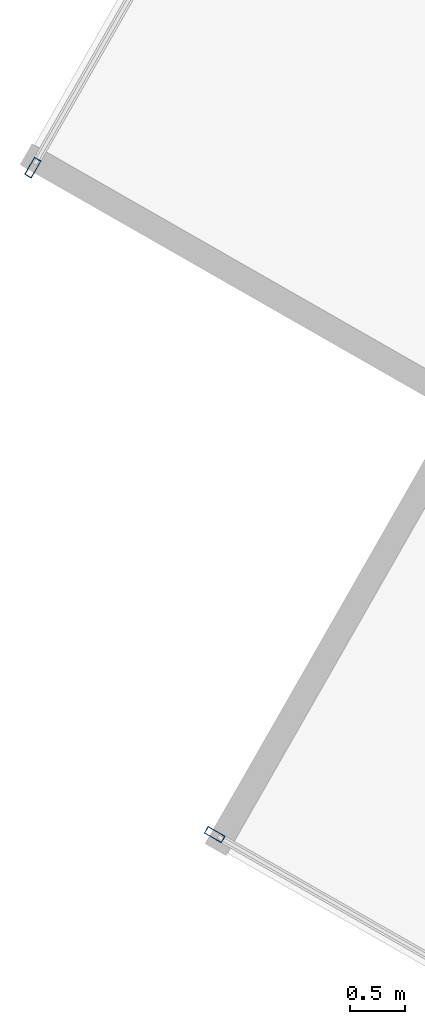
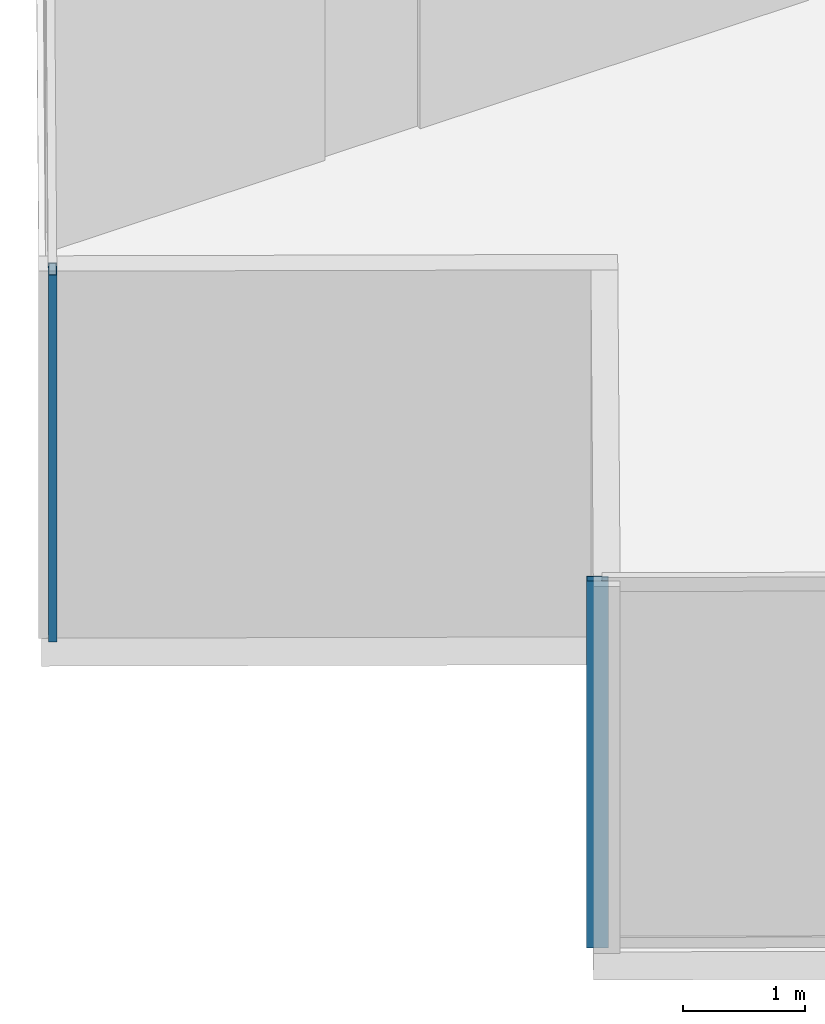
# One storey, part 5 of 24: 2 members, 2 elements without a shape of their own.
"""IFC4 building model written with IfcOpenShell, lengths in metres."""

from ifc_helpers import new_model, si_unit, direction, frame, origin, origin_2d, place, context, subcontext, project, spatial, hollow_rectangle, extrude, source, transform, mapped, material, material_profile, profile_set, type_object, type_shapes, element, aggregate, save


model = new_model("IFC4")

# Units and contexts
model_context = context("Model", 3, precision=1e-05, world=origin(), true_north=direction((0.0, 1.0)))
body_context = subcontext(model_context, "Body", "Model", "MODEL_VIEW")
ifc_project = project(units=[si_unit("LENGTHUNIT", "METRE"), si_unit("AREAUNIT", "SQUARE_METRE"), si_unit("VOLUMEUNIT", "CUBIC_METRE"), si_unit("PLANEANGLEUNIT", "RADIAN"), si_unit("MASSUNIT", "GRAM", prefix="KILO")], contexts=[model_context])

# Site, building, storey
site_placement = place(None, origin())
site = spatial("IfcSite", under=ifc_project, at=site_placement, CompositionType="ELEMENT")
building_placement = place(site_placement, origin())
building = spatial("IfcBuilding", under=site, at=building_placement, Name="Krantzveldt Concourse Tower", CompositionType="ELEMENT")
storey_placement = place(building_placement, frame((0.0, 0.0, 165.949951171875)))
storey = spatial("IfcBuildingStorey", under=building, at=storey_placement, Name="L40", CompositionType="ELEMENT", Elevation=165.949951171875)

# Curtain wall, member
ifc_material = material(Name="Anodised aluminium 6063-T6", Category="aluminium")
curtain_wall_type = type_object("IfcCurtainWallType", Name="CW3", PredefinedType="USERDEFINED", material=ifc_material)
curtain_wall_1_placement = place(storey_placement, origin())
curtain_wall_1 = element("IfcCurtainWall", 1, at=curtain_wall_1_placement, inside=storey, type_object=curtain_wall_type, Name="CW-L40-F05", ObjectType="UNITISED CURTAIN WALL", PredefinedType="USERDEFINED")
ifc_material_profile = material_profile(ifc_material, hollow_rectangle(XDim=0.070068359375, YDim=0.179931640625, WallThickness=0.0048828125, at=origin_2d()), Name="Anodised aluminium 6063-T6", Category="aluminium")
ifc_profile_set = profile_set([ifc_material_profile], Name="Anodised aluminium 6063-T6 - ALU-MULL 180x70x5")
member_type = type_object("IfcMemberType", Name="CW-MUL-180", PredefinedType="MULLION", material=ifc_profile_set)
shared_shape = source(origin(), body_context, "Body", "SweptSolid", [
    extrude(hollow_rectangle(XDim=0.070068359375, YDim=0.179931640625, WallThickness=0.0048828125, at=origin_2d()), origin(), (0.0, 0.0, 1.0), 3.670166015625),
])
type_shapes(member_type, [shared_shape])
member_1_placement = place(storey_placement, frame((8.44775390625, 22.4462890625, 0.0), z_axis=(0.0, 0.0, 1.0), x_axis=(0.868199066314, -0.496216063073, 0.0)))
member_1 = element("IfcMember", 2, at=member_1_placement, type_object=member_type, Name="CW-Z34 mullion 3", PredefinedType="MULLION", context=body_context, shape_type="MappedRepresentation", body=[
    mapped(shared_shape, transform((0.0, 0.0, 0.0), x_axis=(1.0, 0.0, 0.0), y_axis=(0.0, 1.0, 0.0), z_axis=(0.0, 0.0, 1.0), scale=1.0)),
])
aggregate(curtain_wall_1, [member_1])

curtain_wall_2_placement = place(storey_placement, origin())
curtain_wall_2 = element("IfcCurtainWall", 3, at=curtain_wall_2_placement, inside=storey, type_object=curtain_wall_type, Name="CW-L40-F08", ObjectType="UNITISED CURTAIN WALL", PredefinedType="USERDEFINED")
member_2_placement = place(storey_placement, frame((10.101318359375, 16.38134765625, 0.0), z_axis=(0.0, 0.0, 1.0), x_axis=(0.496216394392, 0.868198876949, 0.0)))
member_2 = element("IfcMember", 4, at=member_2_placement, type_object=member_type, Name="CW-Z34 mullion 1", PredefinedType="MULLION", context=body_context, shape_type="MappedRepresentation", body=[
    mapped(shared_shape, transform((0.0, 0.0, 0.0), x_axis=(1.0, 0.0, 0.0), y_axis=(0.0, 1.0, 0.0), z_axis=(0.0, 0.0, 1.0), scale=1.0)),
])
aggregate(curtain_wall_2, [member_2])

save(model, "model.ifc")
